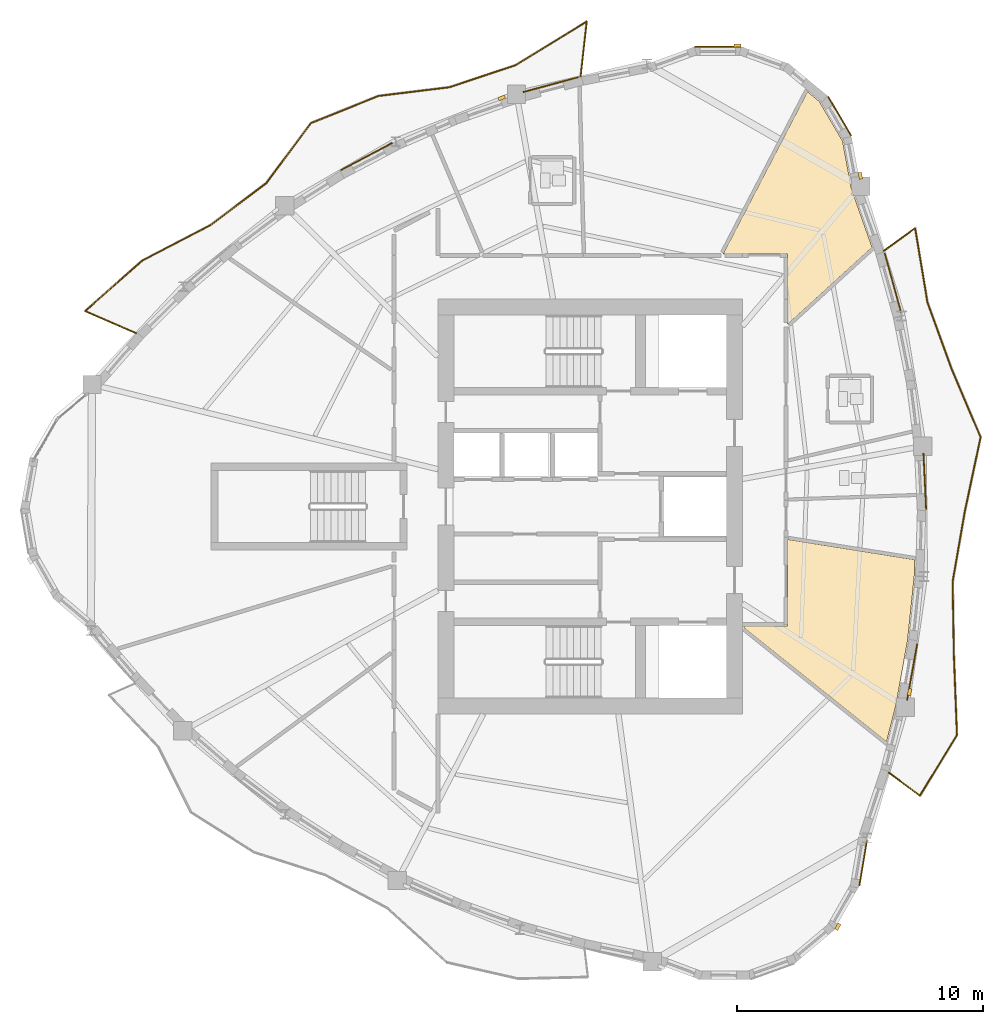
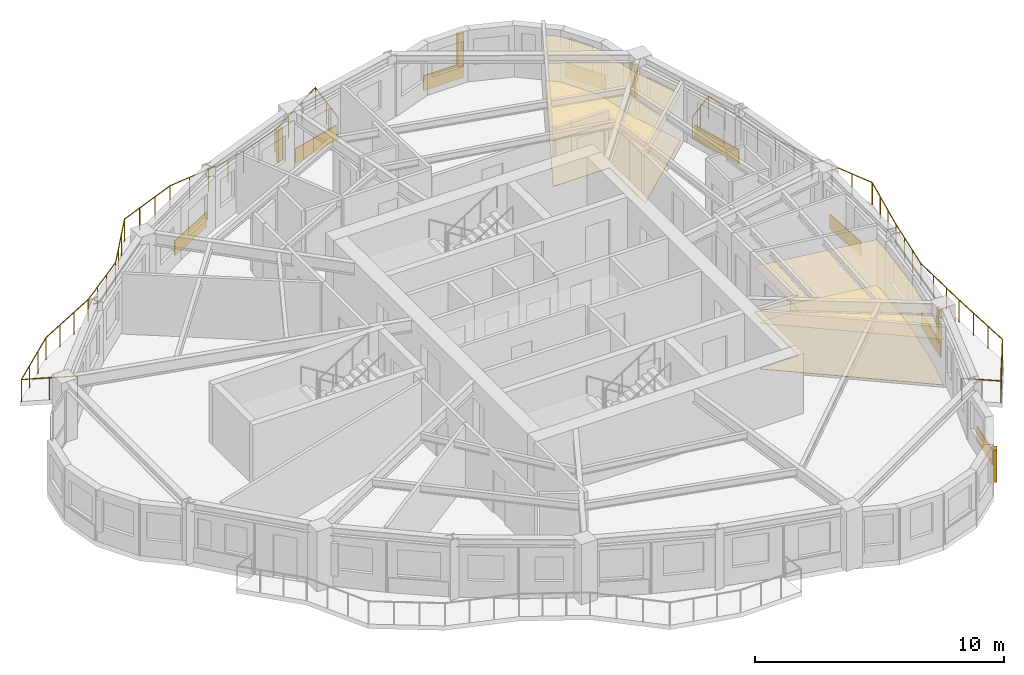
# One storey, part 12 of 13: 12 coverings, 5 shading devices, 2 railings.
"""IFC4 building model written with IfcOpenShell, lengths in metres."""

from ifc_helpers import new_model, si_unit, direction, frame, origin, origin_2d, place, context, subcontext, project, spatial, polyline, rectangle, circle, outline, extrude, source, transform, mapped, material, layer, layer_set, type_object, element, save


model = new_model("IFC4")

# Units and contexts
model_context = context("Model", 3, precision=1e-05, world=origin(), true_north=direction((0.0, 1.0)))
body_context = subcontext(model_context, "Body", "Model", "MODEL_VIEW")
ifc_project = project(units=[si_unit("LENGTHUNIT", "METRE"), si_unit("AREAUNIT", "SQUARE_METRE"), si_unit("VOLUMEUNIT", "CUBIC_METRE"), si_unit("PLANEANGLEUNIT", "RADIAN"), si_unit("MASSUNIT", "GRAM", prefix="KILO")], contexts=[model_context])

# Site, building, storey
site_placement = place(None, origin())
site = spatial("IfcSite", under=ifc_project, at=site_placement, CompositionType="ELEMENT")
building_placement = place(site_placement, origin())
building = spatial("IfcBuilding", under=site, at=building_placement, Name="Qafzar Sky-Pleat Residences", CompositionType="ELEMENT")
storey_placement = place(building_placement, frame((0.0, 0.0, 136.199951171875)))
storey = spatial("IfcBuildingStorey", under=building, at=storey_placement, Name="L40", CompositionType="ELEMENT", Elevation=136.199951171875)

# Coverings
ifc_material_1 = material(Name="Perforated acoustic gypsum board ceiling")
ifc_layer_1 = layer(ifc_material_1, 0.02001953125)
ifc_layer_set_1 = layer_set([ifc_layer_1], Name="Perforated acoustic gypsum board ceiling")
covering_type_1 = type_object("IfcCoveringType", Name="COV-CEIL-ACOUSTIC", PredefinedType="CEILING", material=ifc_layer_set_1)
covering_1_placement = place(storey_placement, frame((0.0, 0.0, 2.239990234375)))
element("IfcCovering", 1, at=covering_1_placement, inside=storey, type_object=covering_type_1, Name="L40 Co-Living Lounge Acoustic Ceiling", PredefinedType="CEILING", context=body_context, shape_type="SweptSolid", body=[
    extrude(outline(polyline([(43.5498046875, 23.17431640625), (43.27587890625, 20.546142578125), (42.80224609375, 17.91552734375), (42.419189453125, 16.41748046875), (36.610107421875, 21.066650390625), (36.610107421875, 21.139892578125), (38.389892578125, 21.139892578125), (38.389892578125, 24.65966796875), (43.568603515625, 23.835205078125), (43.5498046875, 23.17431640625)])), origin(), (0.0, 0.0, 1.0), 0.02001953125),
])
covering_2_placement = place(storey_placement, frame((0.0, 0.0, 2.239990234375)))
element("IfcCovering", 2, at=covering_2_placement, inside=storey, type_object=covering_type_1, Name="L40 Communal Kitchen Acoustic Ceiling", PredefinedType="CEILING", context=body_context, shape_type="SweptSolid", body=[
    extrude(outline(polyline([(39.68310546875, 42.493896484375), (40.62890625, 40.8828125), (40.98779296875, 38.948486328125), (41.8310546875, 36.55810546875), (38.389892578125, 33.41796875), (38.389892578125, 36.2900390625), (35.768310546875, 36.2900390625), (39.201904296875, 42.893310546875), (39.68310546875, 42.493896484375)])), origin(), (0.0, 0.0, 1.0), 0.02001953125),
])
ifc_material_2 = material(Name="Honed porcelain and Riyadh stone tile flooring", Category="masonry")
ifc_layer_2 = layer(ifc_material_2, 0.02001953125)
ifc_layer_set_2 = layer_set([ifc_layer_2], Name="Honed porcelain and Riyadh stone tile flooring")
covering_type_2 = type_object("IfcCoveringType", Name="COV-FLR-PORCELAIN", PredefinedType="FLOORING", material=ifc_layer_set_2)
covering_3_placement = place(storey_placement, origin())
element("IfcCovering", 3, at=covering_3_placement, inside=storey, type_object=covering_type_2, Name="L40 Co-Living Lounge Honed Stone Flooring", PredefinedType="FLOORING", context=body_context, shape_type="SweptSolid", body=[
    extrude(outline(polyline([(43.5498046875, 23.17431640625), (43.27587890625, 20.546142578125), (42.80224609375, 17.91552734375), (42.419189453125, 16.41748046875), (36.610107421875, 21.066650390625), (36.610107421875, 21.139892578125), (38.389892578125, 21.139892578125), (38.389892578125, 24.65966796875), (43.568603515625, 23.835205078125), (43.5498046875, 23.17431640625)])), origin(), (0.0, 0.0, 1.0), 0.02001953125),
])
covering_4_placement = place(storey_placement, origin())
element("IfcCovering", 4, at=covering_4_placement, inside=storey, type_object=covering_type_2, Name="L40 Communal Kitchen Honed Stone Flooring", PredefinedType="FLOORING", context=body_context, shape_type="SweptSolid", body=[
    extrude(outline(polyline([(39.68310546875, 42.493896484375), (40.62890625, 40.8828125), (40.98779296875, 38.948486328125), (41.8310546875, 36.55810546875), (38.389892578125, 33.41796875), (38.389892578125, 36.2900390625), (35.768310546875, 36.2900390625), (39.201904296875, 42.893310546875), (39.68310546875, 42.493896484375)])), origin(), (0.0, 0.0, 1.0), 0.02001953125),
])

# Shading devices
ifc_material_3 = material(Name="Honed Riyadh limestone solar fin", Category="masonry")
ifc_layer_3 = layer(ifc_material_3, 0.139892578125)
ifc_layer_set_3 = layer_set([ifc_layer_3], Name="Honed Riyadh limestone solar fin")
shading_device_type = type_object("IfcShadingDeviceType", Name="SHD-FIN-STONE", PredefinedType="SHUTTER", material=ifc_layer_set_3)
shared_shape_1 = source(origin(), body_context, "Body", "SweptSolid", [
    extrude(rectangle(XDim=0.139892578125, YDim=0.280029296875, at=origin_2d()), origin(), (0.0, 0.0, 1.0), 1.60009765625),
])
for number, where, z_axis, x_axis, name in (
    (5, (40.4375, 8.890380859375, 0.60009765625), (0.0, 0.0, 1.0), (0.868430786621, -0.495810416236, 0.0), "L40 Limestone Solar Fin 21"),
    (6, (43.360595703125, 18.4482421875, 0.60009765625), (0.0, 0.0, 1.0), (0.98417699891, -0.177188133958, 0.0), "L40 Limestone Solar Fin 25"),
    (7, (41.35400390625, 39.468505859375, 0.60009765625), (0.0, 0.0, 1.0), (0.983238323882, 0.182324980325, 0.0), "L40 Limestone Solar Fin 33"),
    (8, (36.35693359375, 44.7734375, 0.60009765625), (0.0, 0.0, 1.0), (-0.002443761091, 0.999997014011, 0.0), "L40 Limestone Solar Fin 37"),
    (9, (26.750244140625, 42.639892578125, 0.60009765625), (0.0, 0.0, 1.0), (-0.329555550412, 0.944136186783, 0.0), "L40 Limestone Solar Fin 41"),
):
    element("IfcShadingDevice", number, at=place(storey_placement, frame(where, z_axis=z_axis, x_axis=x_axis)), inside=storey, type_object=shading_device_type, Name=name, PredefinedType="SHUTTER", context=body_context, shape_type="MappedRepresentation", body=[
        mapped(shared_shape_1, transform((0.0, 0.0, 0.0), x_axis=(1.0, 0.0, 0.0), y_axis=(0.0, 1.0, 0.0), z_axis=(0.0, 0.0, 1.0), scale=1.0)),
    ])

# Railings
ifc_material_4 = material(Name="Laminated glass and bronze steel balustrade", Category="steel")
railing_type = type_object("IfcRailingType", Name="RAIL-BAL-1100", PredefinedType="BALUSTRADE", material=ifc_material_4)
shared_shape_2 = source(origin(), body_context, "Body", "SweptSolid", [
    extrude(circle(Radius=0.02392578125, at=origin_2d()), frame((0.0, 0.0, 1.076171875), z_axis=(0.801353404817, -0.598191207381, 0.0), x_axis=(0.598191207381, 0.801353404817, 0.0)), (0.0, 0.0, 1.0), 1.577880859375),
    extrude(circle(Radius=0.02392578125, at=origin_2d()), frame((1.264404296875, -0.94384765625, 1.076171875), z_axis=(0.520405615074, 0.853919197465, 0.0), x_axis=(-0.853919197465, 0.520405615074, 0.0)), (0.0, 0.0, 1.0), 2.904052734375),
    extrude(circle(Radius=0.02392578125, at=origin_2d()), frame((2.775634765625, 1.535888671875, 1.076171875), z_axis=(-0.038645555912, 0.999252981486, 0.0), x_axis=(-0.999252981486, -0.038645555912, 0.0)), (0.0, 0.0, 1.0), 3.26611328125),
    extrude(circle(Radius=0.02392578125, at=origin_2d()), frame((2.6494140625, 4.799560546875, 1.076171875), z_axis=(-0.017312356591, 0.999850129924, 0.0), x_axis=(-0.999850129924, -0.017312356591, 0.0)), (0.0, 0.0, 1.0), 2.9755859375),
    extrude(circle(Radius=0.02392578125, at=origin_2d()), frame((2.597900390625, 7.774658203125, 1.076171875), z_axis=(0.171045008682, 0.985263216103, 0.0), x_axis=(-0.985263216103, 0.171045008682, 0.0)), (0.0, 0.0, 1.0), 2.887451171875),
    extrude(circle(Radius=0.02392578125, at=origin_2d()), frame((3.091796875, 10.61962890625, 1.076171875), z_axis=(0.207848413756, 0.978161048549, 0.0), x_axis=(-0.978161048549, 0.207848413756, 0.0)), (0.0, 0.0, 1.0), 3.105712890625),
    extrude(circle(Radius=0.02392578125, at=origin_2d()), frame((3.7373046875, 13.657470703125, 1.076171875), z_axis=(-0.390327818076, 0.920675944313, 0.0), x_axis=(-0.920675944313, -0.390327818076, 0.0)), (0.0, 0.0, 1.0), 3.021728515625),
    extrude(circle(Radius=0.02392578125, at=origin_2d()), frame((2.557861328125, 16.439453125, 1.076171875), z_axis=(-0.342193439996, 0.939629527858, 0.0), x_axis=(-0.939629527858, -0.342193439996, 0.0)), (0.0, 0.0, 1.0), 2.872314453125),
    extrude(circle(Radius=0.02392578125, at=origin_2d()), frame((1.574951171875, 19.138427734375, 1.076171875), z_axis=(-0.163447252844, 0.986552074418, 0.0), x_axis=(-0.986552074418, -0.163447252844, 0.0)), (0.0, 0.0, 1.0), 3.07861328125),
    extrude(circle(Radius=0.02392578125, at=origin_2d()), frame((1.07177734375, 22.175537109375, 1.076171875), z_axis=(-0.808622343014, -0.588328060165, 0.0), x_axis=(0.588328060165, -0.808622343014, 0.0)), (0.0, 0.0, 1.0), 1.578125),
    extrude(circle(Radius=0.02099609375, at=origin_2d()), origin(), (0.0, 0.0, 1.0), 1.052001953125),
    extrude(circle(Radius=0.02099609375, at=origin_2d()), frame((0.63232421875, -0.471923828125, 0.0)), (0.0, 0.0, 1.0), 1.052001953125),
    extrude(circle(Radius=0.02099609375, at=origin_2d()), frame((1.264404296875, -0.94384765625, 0.0)), (0.0, 0.0, 1.0), 1.052001953125),
    extrude(circle(Radius=0.02099609375, at=origin_2d()), frame((1.76806640625, -0.1171875, 0.0)), (0.0, 0.0, 1.0), 1.052001953125),
    extrude(circle(Radius=0.02099609375, at=origin_2d()), frame((2.27197265625, 0.709228515625, 0.0)), (0.0, 0.0, 1.0), 1.052001953125),
    extrude(circle(Radius=0.02099609375, at=origin_2d()), frame((2.775634765625, 1.535888671875, 0.0)), (0.0, 0.0, 1.0), 1.052001953125),
    extrude(circle(Radius=0.02099609375, at=origin_2d()), frame((2.733642578125, 2.623779296875, 0.0)), (0.0, 0.0, 1.0), 1.052001953125),
    extrude(circle(Radius=0.02099609375, at=origin_2d()), frame((2.69140625, 3.711669921875, 0.0)), (0.0, 0.0, 1.0), 1.052001953125),
    extrude(circle(Radius=0.02099609375, at=origin_2d()), frame((2.6494140625, 4.799560546875, 0.0)), (0.0, 0.0, 1.0), 1.052001953125),
    extrude(circle(Radius=0.02099609375, at=origin_2d()), frame((2.63232421875, 5.791259765625, 0.0)), (0.0, 0.0, 1.0), 1.052001953125),
    extrude(circle(Radius=0.02099609375, at=origin_2d()), frame((2.614990234375, 6.782958984375, 0.0)), (0.0, 0.0, 1.0), 1.052001953125),
    extrude(circle(Radius=0.02099609375, at=origin_2d()), frame((2.597900390625, 7.774658203125, 0.0)), (0.0, 0.0, 1.0), 1.052001953125),
    extrude(circle(Radius=0.02099609375, at=origin_2d()), frame((2.762451171875, 8.722900390625, 0.0)), (0.0, 0.0, 1.0), 1.052001953125),
    extrude(circle(Radius=0.02099609375, at=origin_2d()), frame((2.92724609375, 9.67138671875, 0.0)), (0.0, 0.0, 1.0), 1.052001953125),
    extrude(circle(Radius=0.02099609375, at=origin_2d()), frame((3.091796875, 10.61962890625, 0.0)), (0.0, 0.0, 1.0), 1.052001953125),
    extrude(circle(Radius=0.02099609375, at=origin_2d()), frame((3.306884765625, 11.63232421875, 0.0)), (0.0, 0.0, 1.0), 1.052001953125),
    extrude(circle(Radius=0.02099609375, at=origin_2d()), frame((3.522216796875, 12.644775390625, 0.0)), (0.0, 0.0, 1.0), 1.052001953125),
    extrude(circle(Radius=0.02099609375, at=origin_2d()), frame((3.7373046875, 13.657470703125, 0.0)), (0.0, 0.0, 1.0), 1.052001953125),
    extrude(circle(Radius=0.02099609375, at=origin_2d()), frame((3.34423828125, 14.584716796875, 0.0)), (0.0, 0.0, 1.0), 1.052001953125),
    extrude(circle(Radius=0.02099609375, at=origin_2d()), frame((2.950927734375, 15.51220703125, 0.0)), (0.0, 0.0, 1.0), 1.052001953125),
    extrude(circle(Radius=0.02099609375, at=origin_2d()), frame((2.557861328125, 16.439453125, 0.0)), (0.0, 0.0, 1.0), 1.052001953125),
    extrude(circle(Radius=0.02099609375, at=origin_2d()), frame((2.230224609375, 17.339111328125, 0.0)), (0.0, 0.0, 1.0), 1.052001953125),
    extrude(circle(Radius=0.02099609375, at=origin_2d()), frame((1.902587890625, 18.23876953125, 0.0)), (0.0, 0.0, 1.0), 1.052001953125),
    extrude(circle(Radius=0.02099609375, at=origin_2d()), frame((1.574951171875, 19.138427734375, 0.0)), (0.0, 0.0, 1.0), 1.052001953125),
    extrude(circle(Radius=0.02099609375, at=origin_2d()), frame((1.4072265625, 20.15087890625, 0.0)), (0.0, 0.0, 1.0), 1.052001953125),
    extrude(circle(Radius=0.02099609375, at=origin_2d()), frame((1.239501953125, 21.1630859375, 0.0)), (0.0, 0.0, 1.0), 1.052001953125),
    extrude(circle(Radius=0.02099609375, at=origin_2d()), frame((1.07177734375, 22.175537109375, 0.0)), (0.0, 0.0, 1.0), 1.052001953125),
    extrude(circle(Radius=0.02099609375, at=origin_2d()), frame((0.43359375, 21.71142578125, 0.0)), (0.0, 0.0, 1.0), 1.052001953125),
    extrude(circle(Radius=0.02099609375, at=origin_2d()), frame((-0.204345703125, 21.2470703125, 0.0)), (0.0, 0.0, 1.0), 1.052001953125),
])
railing_1_placement = place(storey_placement, frame((42.512939453125, 15.164306640625, 0.0)))
element("IfcRailing", 10, at=railing_1_placement, inside=storey, type_object=railing_type, Name="L40 Pleated Balcony 1 Balustrade", PredefinedType="BALUSTRADE", context=body_context, shape_type="MappedRepresentation", body=[
    mapped(shared_shape_2, transform((0.0, 0.0, 0.0), x_axis=(1.0, 0.0, 0.0), y_axis=(0.0, 1.0, 0.0), z_axis=(0.0, 0.0, 1.0), scale=1.0)),
])
shared_shape_3 = source(origin(), body_context, "Body", "SweptSolid", [
    extrude(circle(Radius=0.02392578125, at=origin_2d()), frame((0.0, 0.0, 1.076171875), z_axis=(0.111375424683, 0.993778403255, 0.0), x_axis=(-0.993778403255, 0.111375424683, 0.0)), (0.0, 0.0, 1.0), 2.27099609375),
    extrude(circle(Radius=0.02392578125, at=origin_2d()), frame((0.2529296875, 2.2568359375, 1.076171875), z_axis=(-0.852424246602, -0.52285074716, 0.0), x_axis=(0.52285074716, -0.852424246602, 0.0)), (0.0, 0.0, 1.0), 3.41064453125),
    extrude(circle(Radius=0.02392578125, at=origin_2d()), frame((-2.654296875, 0.4736328125, 1.076171875), z_axis=(-0.948743463962, -0.316047211013, 0.0), x_axis=(0.316047211013, -0.948743463962, 0.0)), (0.0, 0.0, 1.0), 2.839599609375),
    extrude(circle(Radius=0.02392578125, at=origin_2d()), frame((-5.348388671875, -0.423828125, 1.076171875), z_axis=(-0.99263797052, -0.12111919535, 0.0), x_axis=(0.12111919535, -0.99263797052, 0.0)), (0.0, 0.0, 1.0), 2.896484375),
    extrude(circle(Radius=0.02392578125, at=origin_2d()), frame((-8.2236328125, -0.774658203125, 1.076171875), z_axis=(-0.92795936646, -0.372681384295, 0.0), x_axis=(0.372681384295, -0.92795936646, 0.0)), (0.0, 0.0, 1.0), 2.966796875),
    extrude(circle(Radius=0.02392578125, at=origin_2d()), frame((-10.976806640625, -1.88037109375, 1.076171875), z_axis=(-0.59768284632, -0.801732633248, 0.0), x_axis=(0.801732633248, -0.59768284632, 0.0)), (0.0, 0.0, 1.0), 3.0546875),
    extrude(circle(Radius=0.02392578125, at=origin_2d()), frame((-12.802490234375, -4.329345703125, 1.076171875), z_axis=(-0.798375377885, -0.602160075052, 0.0), x_axis=(0.602160075052, -0.798375377885, 0.0)), (0.0, 0.0, 1.0), 2.818115234375),
    extrude(circle(Radius=0.02392578125, at=origin_2d()), frame((-15.052490234375, -6.0263671875, 1.076171875), z_axis=(-0.887009097879, -0.461751946699, 0.0), x_axis=(0.461751946699, -0.887009097879, 0.0)), (0.0, 0.0, 1.0), 3.157470703125),
    extrude(circle(Radius=0.02392578125, at=origin_2d()), frame((-17.853271484375, -7.484375, 1.076171875), z_axis=(-0.749149940714, -0.662400457676, 0.0), x_axis=(0.662400457676, -0.749149940714, 0.0)), (0.0, 0.0, 1.0), 3.0986328125),
    extrude(circle(Radius=0.02392578125, at=origin_2d()), frame((-20.174560546875, -9.536865234375, 1.076171875), z_axis=(0.916307784316, -0.400474773739, 0.0), x_axis=(0.400474773739, 0.916307784316, 0.0)), (0.0, 0.0, 1.0), 2.270751953125),
    extrude(circle(Radius=0.02099609375, at=origin_2d()), origin(), (0.0, 0.0, 1.0), 1.052001953125),
    extrude(circle(Radius=0.02099609375, at=origin_2d()), frame((0.12646484375, 1.12841796875, 0.0)), (0.0, 0.0, 1.0), 1.052001953125),
    extrude(circle(Radius=0.02099609375, at=origin_2d()), frame((0.2529296875, 2.2568359375, 0.0)), (0.0, 0.0, 1.0), 1.052001953125),
    extrude(circle(Radius=0.02099609375, at=origin_2d()), frame((-0.716064453125, 1.662353515625, 0.0)), (0.0, 0.0, 1.0), 1.052001953125),
    extrude(circle(Radius=0.02099609375, at=origin_2d()), frame((-1.685302734375, 1.068115234375, 0.0)), (0.0, 0.0, 1.0), 1.052001953125),
    extrude(circle(Radius=0.02099609375, at=origin_2d()), frame((-2.654296875, 0.4736328125, 0.0)), (0.0, 0.0, 1.0), 1.052001953125),
    extrude(circle(Radius=0.02099609375, at=origin_2d()), frame((-3.55224609375, 0.174560546875, 0.0)), (0.0, 0.0, 1.0), 1.052001953125),
    extrude(circle(Radius=0.02099609375, at=origin_2d()), frame((-4.450439453125, -0.124755859375, 0.0)), (0.0, 0.0, 1.0), 1.052001953125),
    extrude(circle(Radius=0.02099609375, at=origin_2d()), frame((-5.348388671875, -0.423828125, 0.0)), (0.0, 0.0, 1.0), 1.052001953125),
    extrude(circle(Radius=0.02099609375, at=origin_2d()), frame((-6.306884765625, -0.540771484375, 0.0)), (0.0, 0.0, 1.0), 1.052001953125),
    extrude(circle(Radius=0.02099609375, at=origin_2d()), frame((-7.26513671875, -0.65771484375, 0.0)), (0.0, 0.0, 1.0), 1.052001953125),
    extrude(circle(Radius=0.02099609375, at=origin_2d()), frame((-8.2236328125, -0.774658203125, 0.0)), (0.0, 0.0, 1.0), 1.052001953125),
    extrude(circle(Radius=0.02099609375, at=origin_2d()), frame((-9.141357421875, -1.143310546875, 0.0)), (0.0, 0.0, 1.0), 1.052001953125),
    extrude(circle(Radius=0.02099609375, at=origin_2d()), frame((-10.05908203125, -1.51171875, 0.0)), (0.0, 0.0, 1.0), 1.052001953125),
    extrude(circle(Radius=0.02099609375, at=origin_2d()), frame((-10.976806640625, -1.88037109375, 0.0)), (0.0, 0.0, 1.0), 1.052001953125),
    extrude(circle(Radius=0.02099609375, at=origin_2d()), frame((-11.58544921875, -2.69677734375, 0.0)), (0.0, 0.0, 1.0), 1.052001953125),
    extrude(circle(Radius=0.02099609375, at=origin_2d()), frame((-12.19384765625, -3.512939453125, 0.0)), (0.0, 0.0, 1.0), 1.052001953125),
    extrude(circle(Radius=0.02099609375, at=origin_2d()), frame((-12.802490234375, -4.329345703125, 0.0)), (0.0, 0.0, 1.0), 1.052001953125),
    extrude(circle(Radius=0.02099609375, at=origin_2d()), frame((-13.552490234375, -4.89501953125, 0.0)), (0.0, 0.0, 1.0), 1.052001953125),
    extrude(circle(Radius=0.02099609375, at=origin_2d()), frame((-14.302490234375, -5.460693359375, 0.0)), (0.0, 0.0, 1.0), 1.052001953125),
    extrude(circle(Radius=0.02099609375, at=origin_2d()), frame((-15.052490234375, -6.0263671875, 0.0)), (0.0, 0.0, 1.0), 1.052001953125),
    extrude(circle(Radius=0.02099609375, at=origin_2d()), frame((-15.986083984375, -6.512451171875, 0.0)), (0.0, 0.0, 1.0), 1.052001953125),
    extrude(circle(Radius=0.02099609375, at=origin_2d()), frame((-16.919677734375, -6.998291015625, 0.0)), (0.0, 0.0, 1.0), 1.052001953125),
    extrude(circle(Radius=0.02099609375, at=origin_2d()), frame((-17.853271484375, -7.484375, 0.0)), (0.0, 0.0, 1.0), 1.052001953125),
    extrude(circle(Radius=0.02099609375, at=origin_2d()), frame((-18.626953125, -8.16845703125, 0.0)), (0.0, 0.0, 1.0), 1.052001953125),
    extrude(circle(Radius=0.02099609375, at=origin_2d()), frame((-19.40087890625, -8.852783203125, 0.0)), (0.0, 0.0, 1.0), 1.052001953125),
    extrude(circle(Radius=0.02099609375, at=origin_2d()), frame((-20.174560546875, -9.536865234375, 0.0)), (0.0, 0.0, 1.0), 1.052001953125),
    extrude(circle(Radius=0.02099609375, at=origin_2d()), frame((-19.13427734375, -9.99169921875, 0.0)), (0.0, 0.0, 1.0), 1.052001953125),
    extrude(circle(Radius=0.02099609375, at=origin_2d()), frame((-18.09375, -10.4462890625, 0.0)), (0.0, 0.0, 1.0), 1.052001953125),
])
railing_2_placement = place(storey_placement, frame((29.960693359375, 43.49658203125, 0.0)))
element("IfcRailing", 11, at=railing_2_placement, inside=storey, type_object=railing_type, Name="L40 Pleated Balcony 2 Balustrade", PredefinedType="BALUSTRADE", context=body_context, shape_type="MappedRepresentation", body=[
    mapped(shared_shape_3, transform((0.0, 0.0, 0.0), x_axis=(1.0, 0.0, 0.0), y_axis=(0.0, 1.0, 0.0), z_axis=(0.0, 0.0, 1.0), scale=1.0)),
])

# Coverings
ifc_material_5 = material(Name="Honed Riyadh Tuwaiq limestone cladding", Category="masonry")
ifc_layer_4 = layer(ifc_material_5, 0.044921875)
ifc_layer_set_4 = layer_set([ifc_layer_4], Name="Honed Riyadh Tuwaiq limestone cladding")
covering_type_3 = type_object("IfcCoveringType", Name="COV-CLAD-STONE", PredefinedType="CLADDING", material=ifc_layer_set_4)
shared_shape_4 = source(origin(), body_context, "Body", "SweptSolid", [
    extrude(rectangle(XDim=1.873046875, YDim=0.044921875, at=origin_2d()), origin(), (0.0, 0.0, 1.0), 0.719970703125),
])
for number, where, z_axis, x_axis, name in (
    (12, (40.511474609375, 41.89697265625, 0.02001953125), (0.0, 0.0, 1.0), (-0.50623242321, 0.862397085855, 0.0), "L40 Riyadh Limestone Spandrel Cladding 34"),
    (13, (35.552001953125, 44.728515625, 0.02001953125), (0.0, 0.0, 1.0), (-0.999996997227, -0.002450619708, 0.0), "L40 Riyadh Limestone Spandrel Cladding 37"),
):
    element("IfcCovering", number, at=place(storey_placement, frame(where, z_axis=z_axis, x_axis=x_axis)), inside=storey, type_object=covering_type_3, Name=name, PredefinedType="CLADDING", context=body_context, shape_type="MappedRepresentation", body=[
        mapped(shared_shape_4, transform((0.0, 0.0, 0.0), x_axis=(1.0, 0.0, 0.0), y_axis=(0.0, 1.0, 0.0), z_axis=(0.0, 0.0, 1.0), scale=1.0)),
    ])
shared_shape_5 = source(origin(), body_context, "Body", "SweptSolid", [
    extrude(rectangle(XDim=1.845703125, YDim=0.044921875, at=origin_2d()), origin(), (0.0, 0.0, 1.0), 0.719970703125),
])
covering_5_placement = place(storey_placement, frame((41.469482421875, 11.474365234375, 0.02001953125), z_axis=(0.0, 0.0, 1.0), x_axis=(0.165703638035, 0.986175595085, 0.0)))
element("IfcCovering", 14, at=covering_5_placement, inside=storey, type_object=covering_type_3, Name="L40 Riyadh Limestone Spandrel Cladding 22", PredefinedType="CLADDING", context=body_context, shape_type="MappedRepresentation", body=[
    mapped(shared_shape_5, transform((0.0, 0.0, 0.0), x_axis=(1.0, 0.0, 0.0), y_axis=(0.0, 1.0, 0.0), z_axis=(0.0, 0.0, 1.0), scale=1.0)),
])
shared_shape_6 = source(origin(), body_context, "Body", "SweptSolid", [
    extrude(rectangle(XDim=2.326171875, YDim=0.044921875, at=origin_2d()), origin(), (0.0, 0.0, 1.0), 0.719970703125),
])
covering_6_placement = place(storey_placement, frame((43.4619140625, 19.2529296875, 0.02001953125), z_axis=(0.0, 0.0, 1.0), x_axis=(0.177165740364, 0.98418103032, 0.0)))
element("IfcCovering", 15, at=covering_6_placement, inside=storey, type_object=covering_type_3, Name="L40 Riyadh Limestone Spandrel Cladding 25", PredefinedType="CLADDING", context=body_context, shape_type="MappedRepresentation", body=[
    mapped(shared_shape_6, transform((0.0, 0.0, 0.0), x_axis=(1.0, 0.0, 0.0), y_axis=(0.0, 1.0, 0.0), z_axis=(0.0, 0.0, 1.0), scale=1.0)),
])
shared_shape_7 = source(origin(), body_context, "Body", "SweptSolid", [
    extrude(rectangle(XDim=2.28515625, YDim=0.044921875, at=origin_2d()), origin(), (0.0, 0.0, 1.0), 0.719970703125),
])
covering_7_placement = place(storey_placement, frame((43.97802734375, 27.03466796875, 0.02001953125), z_axis=(0.0, 0.0, 1.0), x_axis=(-0.047613798694, 0.998865819905, 0.0)))
element("IfcCovering", 16, at=covering_7_placement, inside=storey, type_object=covering_type_3, Name="L40 Riyadh Limestone Spandrel Cladding 28", PredefinedType="CLADDING", context=body_context, shape_type="MappedRepresentation", body=[
    mapped(shared_shape_7, transform((0.0, 0.0, 0.0), x_axis=(1.0, 0.0, 0.0), y_axis=(0.0, 1.0, 0.0), z_axis=(0.0, 0.0, 1.0), scale=1.0)),
])
shared_shape_8 = source(origin(), body_context, "Body", "SweptSolid", [
    extrude(rectangle(XDim=2.488037109375, YDim=0.044921875, at=origin_2d()), origin(), (0.0, 0.0, 1.0), 0.719970703125),
])
covering_8_placement = place(storey_placement, frame((42.677978515625, 35.114501953125, 0.02001953125), z_axis=(0.0, 0.0, 1.0), x_axis=(-0.266345107922, 0.963877732644, 0.0)))
element("IfcCovering", 17, at=covering_8_placement, inside=storey, type_object=covering_type_3, Name="L40 Riyadh Limestone Spandrel Cladding 31", PredefinedType="CLADDING", context=body_context, shape_type="MappedRepresentation", body=[
    mapped(shared_shape_8, transform((0.0, 0.0, 0.0), x_axis=(1.0, 0.0, 0.0), y_axis=(0.0, 1.0, 0.0), z_axis=(0.0, 0.0, 1.0), scale=1.0)),
])
shared_shape_9 = source(origin(), body_context, "Body", "SweptSolid", [
    extrude(rectangle(XDim=2.3251953125, YDim=0.044921875, at=origin_2d()), origin(), (0.0, 0.0, 1.0), 0.719970703125),
])
covering_9_placement = place(storey_placement, frame((28.7431640625, 43.179443359375, 0.02001953125), z_axis=(0.0, 0.0, 1.0), x_axis=(-0.965454501044, -0.260571691506, 0.0)))
element("IfcCovering", 18, at=covering_9_placement, inside=storey, type_object=covering_type_3, Name="L40 Riyadh Limestone Spandrel Cladding 40", PredefinedType="CLADDING", context=body_context, shape_type="MappedRepresentation", body=[
    mapped(shared_shape_9, transform((0.0, 0.0, 0.0), x_axis=(1.0, 0.0, 0.0), y_axis=(0.0, 1.0, 0.0), z_axis=(0.0, 0.0, 1.0), scale=1.0)),
])
shared_shape_10 = source(origin(), body_context, "Body", "SweptSolid", [
    extrude(rectangle(XDim=2.36669921875, YDim=0.044921875, at=origin_2d()), origin(), (0.0, 0.0, 1.0), 0.719970703125),
])
covering_10_placement = place(storey_placement, frame((21.244384765625, 40.2548828125, 0.02001953125), z_axis=(0.0, 0.0, 1.0), x_axis=(-0.884385624871, -0.466756967299, 0.0)))
element("IfcCovering", 19, at=covering_10_placement, inside=storey, type_object=covering_type_3, Name="L40 Riyadh Limestone Spandrel Cladding 43", PredefinedType="CLADDING", context=body_context, shape_type="MappedRepresentation", body=[
    mapped(shared_shape_10, transform((0.0, 0.0, 0.0), x_axis=(1.0, 0.0, 0.0), y_axis=(0.0, 1.0, 0.0), z_axis=(0.0, 0.0, 1.0), scale=1.0)),
])

save(model, "model.ifc")
